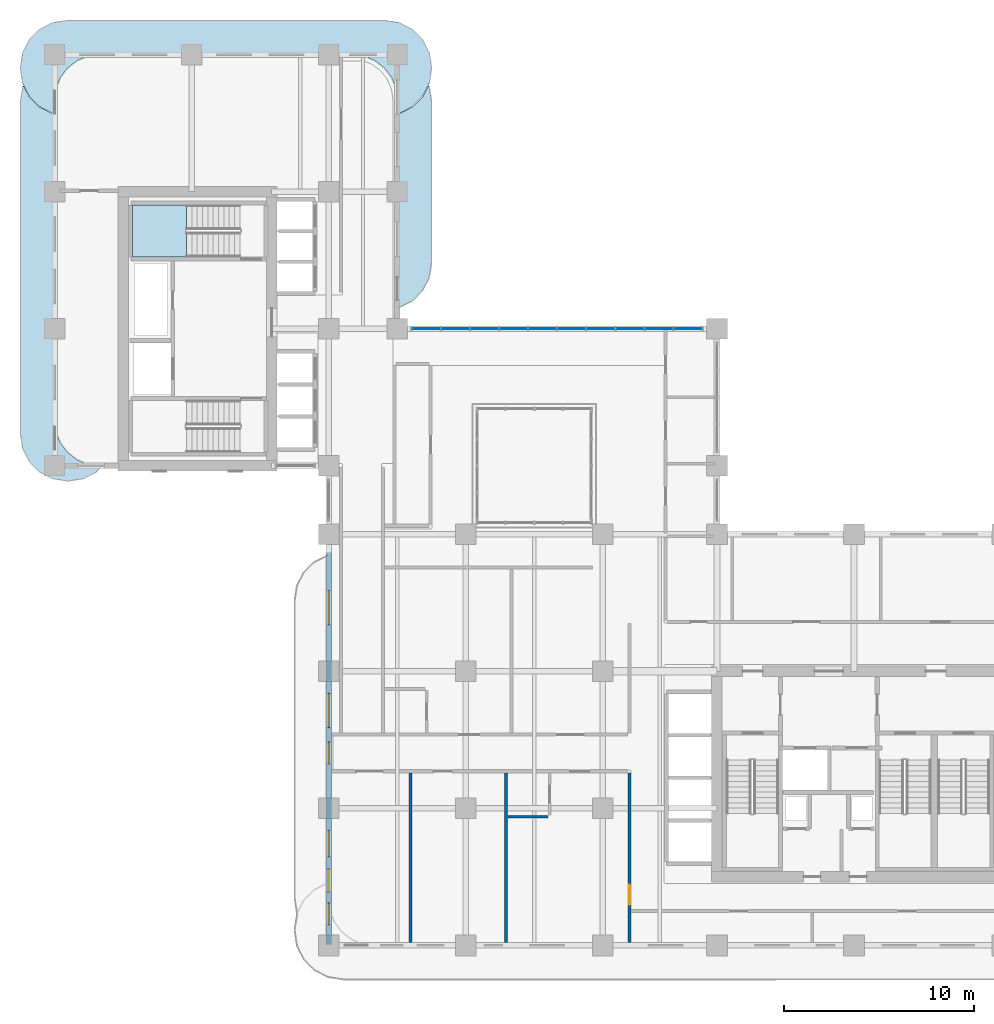
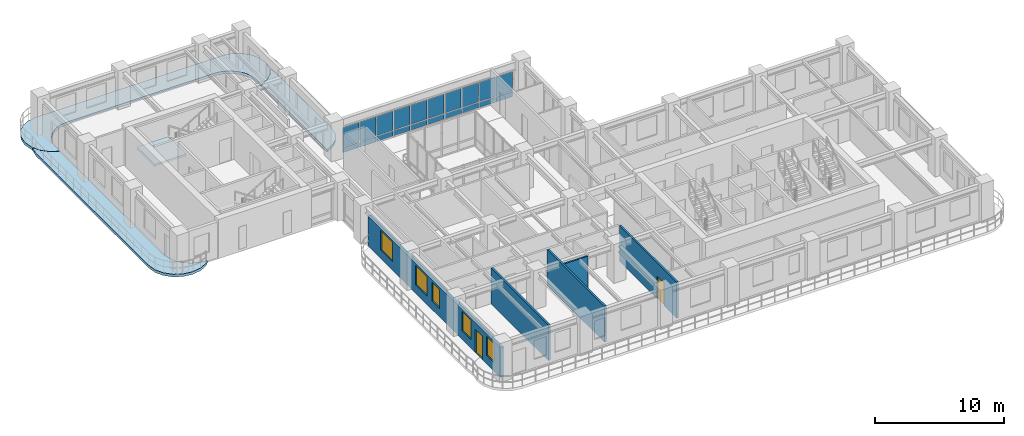
# One storey, part 8 of 19: 20 plates, 5 walls, 5 windows, 4 slabs, 2 doors, 7 openings, 2 elements without a shape of their own.
"""IFC4 building model written with IfcOpenShell, lengths in metres."""

from ifc_helpers import new_model, si_unit, derived_unit, direction, frame, frame_2d, origin, origin_2d, place, context, subcontext, project, spatial, polyline, rectangle, outline, extrude, source, transform, mapped, material, layer, layer_set, type_object, type_shapes, element, fill, aggregate, save


model = new_model("IFC4")

# Units and contexts
model_context = context("Model", 3, precision=1e-05, world=origin(), true_north=direction((0.0, 1.0)))
body_context = subcontext(model_context, "Body", "Model", "MODEL_VIEW")
ifc_project = project(units=[si_unit("LENGTHUNIT", "METRE"), si_unit("AREAUNIT", "SQUARE_METRE"), si_unit("VOLUMEUNIT", "CUBIC_METRE"), si_unit("PLANEANGLEUNIT", "RADIAN"), si_unit("MASSUNIT", "GRAM", prefix="KILO"), si_unit("THERMODYNAMICTEMPERATUREUNIT", "KELVIN"), si_unit("POWERUNIT", "WATT"), derived_unit("THERMALTRANSMITTANCEUNIT", [(si_unit("POWERUNIT", "WATT"), 1), (si_unit("AREAUNIT", "SQUARE_METRE"), -1), (si_unit("THERMODYNAMICTEMPERATUREUNIT", "KELVIN"), -1)])], contexts=[model_context])

# Site, building, storey
site_placement = place(None, origin())
site = spatial("IfcSite", under=ifc_project, at=site_placement, CompositionType="ELEMENT")
building_placement = place(site_placement, origin())
building = spatial("IfcBuilding", under=site, at=building_placement, Name="Zahravan Archway Hotel and Residences", CompositionType="ELEMENT")
storey_placement = place(building_placement, frame((0.0, 0.0, 102.699951171875)))
storey = spatial("IfcBuildingStorey", under=building, at=storey_placement, Name="L25", CompositionType="ELEMENT", Elevation=102.699951171875)

# Slabs
ifc_material_1 = material(Name="Concrete C45/55", Category="concrete")
ifc_layer_1 = layer(ifc_material_1, 0.25, Name="Concrete C45/55", Category="concrete")
ifc_layer_set_1 = layer_set([ifc_layer_1], Name="Concrete C45/55")
slab_type_1 = type_object("IfcSlabType", Name="SLB-BALC-250", PredefinedType="FLOOR", material=ifc_layer_set_1)
slab_1_placement = place(storey_placement, frame((0.0, 0.0, -0.25)))
element("IfcSlab", 1, at=slab_1_placement, inside=storey, type_object=slab_type_1, Name="L25 Wing B North Rounded Balcony Band", PredefinedType="FLOOR", context=body_context, shape_type="SweptSolid", body=[
    extrude(outline(polyline([(-0.107177734375, 43.719970703125), (-0.7900390625, 44.06787109375), (-1.33203125, 44.60986328125), (-1.68017578125, 45.29296875), (-1.800048828125, 46.050048828125), (-1.800048828125, 46.14990234375), (-1.68017578125, 46.906982421875), (-1.33203125, 47.590087890625), (-0.7900390625, 48.132080078125), (-0.107177734375, 48.47998046875), (0.64990234375, 48.60009765625), (17.35009765625, 48.60009765625), (18.107177734375, 48.47998046875), (18.7900390625, 48.132080078125), (19.33203125, 47.590087890625), (19.68017578125, 46.906982421875), (19.800048828125, 46.14990234375), (19.800048828125, 46.050048828125), (19.68017578125, 45.29296875), (19.33203125, 44.60986328125), (18.7900390625, 44.06787109375), (18.107177734375, 43.719970703125), (18.02001953125, 43.7060546875), (18.02001953125, 44.39990234375), (18.019775390625, 44.402587890625), (17.93798828125, 45.023681640625), (17.937744140625, 45.025390625), (17.937255859375, 45.027099609375), (17.936767578125, 45.02880859375), (17.697021484375, 45.607666015625), (17.6962890625, 45.609130859375), (17.6953125, 45.610595703125), (17.6943359375, 45.6123046875), (17.31298828125, 46.109375), (17.311767578125, 46.110595703125), (17.310546875, 46.11181640625), (17.309326171875, 46.113037109375), (16.812255859375, 46.494384765625), (16.810791015625, 46.495361328125), (16.80908203125, 46.49609375), (16.8076171875, 46.4970703125), (16.22900390625, 46.73681640625), (16.227294921875, 46.7373046875), (16.2255859375, 46.73779296875), (16.223876953125, 46.738037109375), (15.6025390625, 46.81982421875), (15.60009765625, 46.820068359375), (2.39990234375, 46.820068359375), (2.3974609375, 46.81982421875), (1.776123046875, 46.738037109375), (1.7744140625, 46.73779296875), (1.772705078125, 46.7373046875), (1.77099609375, 46.73681640625), (1.1923828125, 46.4970703125), (1.19091796875, 46.49609375), (1.189208984375, 46.495361328125), (1.187744140625, 46.494384765625), (0.690673828125, 46.113037109375), (0.689453125, 46.11181640625), (0.688232421875, 46.110595703125), (0.68701171875, 46.109375), (0.3056640625, 45.6123046875), (0.3046875, 45.610595703125), (0.3037109375, 45.609130859375), (0.302978515625, 45.607666015625), (0.063232421875, 45.02880859375), (0.062744140625, 45.027099609375), (0.062255859375, 45.025390625), (0.06201171875, 45.023681640625), (-0.019775390625, 44.402587890625), (-0.02001953125, 44.39990234375), (-0.02001953125, 43.7060546875), (-0.107177734375, 43.719970703125)])), origin(), (0.0, 0.0, 1.0), 0.25),
])
slab_2_placement = place(storey_placement, frame((0.0, 0.0, -0.25)))
element("IfcSlab", 2, at=slab_2_placement, inside=storey, type_object=slab_type_1, Name="L25 Wing B West Rounded Balcony Band", PredefinedType="FLOOR", context=body_context, shape_type="SweptSolid", body=[
    extrude(outline(polyline([(2.190185546875, 24.867919921875), (1.507080078125, 24.52001953125), (0.75, 24.39990234375), (0.64990234375, 24.39990234375), (-0.107177734375, 24.52001953125), (-0.7900390625, 24.867919921875), (-1.33203125, 25.409912109375), (-1.68017578125, 26.093017578125), (-1.800048828125, 26.85009765625), (-1.800048828125, 44.35009765625), (-1.68017578125, 45.107177734375), (-1.64404296875, 45.177978515625), (-1.349853515625, 44.600830078125), (-1.348876953125, 44.59912109375), (-1.34765625, 44.597412109375), (-1.34619140625, 44.595703125), (-0.80419921875, 44.0537109375), (-0.802734375, 44.052490234375), (-0.801025390625, 44.051025390625), (-0.79931640625, 44.050048828125), (-0.1162109375, 43.7021484375), (-0.1142578125, 43.701171875), (-0.1123046875, 43.70068359375), (-0.110107421875, 43.7001953125), (-0.023193359375, 43.686279296875), (-0.021240234375, 43.68603515625), (-0.02001953125, 43.68603515625), (-0.02001953125, 27.60009765625), (-0.019775390625, 27.597412109375), (0.06201171875, 26.976318359375), (0.062255859375, 26.974609375), (0.062744140625, 26.972900390625), (0.063232421875, 26.97119140625), (0.302978515625, 26.392333984375), (0.3037109375, 26.390869140625), (0.3046875, 26.389404296875), (0.3056640625, 26.3876953125), (0.68701171875, 25.890625), (0.688232421875, 25.889404296875), (0.689453125, 25.88818359375), (0.690673828125, 25.886962890625), (1.187744140625, 25.505615234375), (1.189208984375, 25.504638671875), (1.19091796875, 25.50390625), (1.1923828125, 25.5029296875), (1.77099609375, 25.26318359375), (1.772705078125, 25.2626953125), (1.7744140625, 25.26220703125), (1.776123046875, 25.261962890625), (2.3974609375, 25.18017578125), (2.39990234375, 25.179931640625), (2.502197265625, 25.179931640625), (2.190185546875, 24.867919921875)])), origin(), (0.0, 0.0, 1.0), 0.25),
])
slab_3_placement = place(storey_placement, frame((0.0, 0.0, -0.25)))
element("IfcSlab", 3, at=slab_3_placement, inside=storey, type_object=slab_type_1, Name="L25 Wing B East Rounded Balcony Band", PredefinedType="FLOOR", context=body_context, shape_type="SweptSolid", body=[
    extrude(outline(polyline([(19.68017578125, 45.107177734375), (19.800048828125, 44.35009765625), (19.800048828125, 35.85009765625), (19.68017578125, 35.093017578125), (19.33203125, 34.409912109375), (18.7900390625, 33.867919921875), (18.107177734375, 33.52001953125), (18.02001953125, 33.506103515625), (18.02001953125, 43.68603515625), (18.021240234375, 43.68603515625), (18.023193359375, 43.686279296875), (18.110107421875, 43.7001953125), (18.1123046875, 43.70068359375), (18.1142578125, 43.701171875), (18.1162109375, 43.7021484375), (18.79931640625, 44.050048828125), (18.801025390625, 44.051025390625), (18.802734375, 44.052490234375), (18.80419921875, 44.0537109375), (19.34619140625, 44.595703125), (19.34765625, 44.597412109375), (19.348876953125, 44.59912109375), (19.349853515625, 44.600830078125), (19.64404296875, 45.177978515625), (19.68017578125, 45.107177734375)])), origin(), (0.0, 0.0, 1.0), 0.25),
])

# Stair, slab
ifc_material_2 = material(Name="Concrete C50/60", Category="concrete")
stair_type = type_object("IfcStairType", Name="STR-CORE-1300", PredefinedType="HALF_TURN_STAIR", material=ifc_material_2)
stair_placement = place(storey_placement, origin())
stair = element("IfcStair", 4, at=stair_placement, inside=storey, type_object=stair_type, Name="L25 Core B Exit Stair 2", PredefinedType="HALF_TURN_STAIR")
ifc_layer_2 = layer(ifc_material_2, 0.199951171875, Name="Concrete C50/60", Category="concrete")
ifc_layer_set_2 = layer_set([ifc_layer_2], Name="Concrete C50/60")
slab_type_2 = type_object("IfcSlabType", Name="SLB-LND-200", PredefinedType="LANDING", material=ifc_layer_set_2)
slab_4_placement = place(storey_placement, frame((0.0, 0.0, 1.650146484375)))
slab_4 = element("IfcSlab", 5, at=slab_4_placement, type_object=slab_type_2, Name="ST-B2 landing 1", PredefinedType="LANDING", context=body_context, shape_type="SweptSolid", body=[
    extrude(outline(polyline([(6.929931640625, 38.89990234375), (4.10009765625, 38.89990234375), (4.10009765625, 36.159912109375), (6.929931640625, 36.159912109375), (6.929931640625, 38.89990234375)])), origin(), (0.0, 0.0, 1.0), 0.199951171875),
])
aggregate(stair, [slab_4])

# Curtain wall, plates
ifc_material_3 = material(Name="Bronze-Anodized Unitised Aluminium & Low-E Glass", Category="aluminium")
ifc_layer_3 = layer(ifc_material_3, 0.179931640625, Name="Bronze-Anodized Unitised Aluminium & Low-E Glass", Category="aluminium")
ifc_layer_set_3 = layer_set([ifc_layer_3], Name="Bronze-Anodized Unitised Aluminium & Low-E Glass")
curtain_wall_type = type_object("IfcCurtainWallType", Name="CW-ATR-GLAZ", PredefinedType="NOTDEFINED", material=ifc_layer_set_3)
curtain_wall_placement = place(storey_placement, origin())
curtain_wall = element("IfcCurtainWall", 6, at=curtain_wall_placement, inside=storey, type_object=curtain_wall_type, Name="L25 Curtain Wall CW-L25-HNG-N-1", PredefinedType="NOTDEFINED")
ifc_material_4 = material(Name="Insulated Terracotta Spandrel Panel", Category="masonry")
ifc_layer_4 = layer(ifc_material_4, 0.0400390625, Name="Insulated Terracotta Spandrel Panel", Category="masonry")
ifc_layer_set_4 = layer_set([ifc_layer_4], Name="Insulated Terracotta Spandrel Panel")
plate_type_1 = type_object("IfcPlateType", Name="CWP-SPN-40", PredefinedType="SHEET", material=ifc_layer_set_4)
shared_shape_1 = source(origin(), body_context, "Body", "SweptSolid", [
    extrude(rectangle(XDim=1.447998046875, YDim=0.0400390625, at=origin_2d()), origin(), (0.0, 0.0, 1.0), 0.48046875),
])
plate_1_placement = place(storey_placement, frame((19.52392578125, 32.39990234375, 0.10009765625), z_axis=(0.0, 0.0, 1.0), x_axis=(1.0, 0.0, 0.0)))
plate_1 = element("IfcPlate", 7, at=plate_1_placement, type_object=plate_type_1, Name="CW-L25-HNG-N-1 Spandrel Panel 0", PredefinedType="SHEET", context=body_context, shape_type="MappedRepresentation", body=[
    mapped(shared_shape_1, transform((0.0, 0.0, 0.0), scale=1.0)),
])
plate_2_placement = place(storey_placement, frame((21.052001953125, 32.39990234375, 0.10009765625), z_axis=(0.0, 0.0, 1.0), x_axis=(1.0, 0.0, 0.0)))
plate_2 = element("IfcPlate", 8, at=plate_2_placement, type_object=plate_type_1, Name="CW-L25-HNG-N-1 Spandrel Panel 1", PredefinedType="SHEET", context=body_context, shape_type="MappedRepresentation", body=[
    mapped(shared_shape_1, transform((0.0, 0.0, 0.0), scale=1.0)),
])
plate_3_placement = place(storey_placement, frame((22.580078125, 32.39990234375, 0.10009765625), z_axis=(0.0, 0.0, 1.0), x_axis=(1.0, 0.0, 0.0)))
plate_3 = element("IfcPlate", 9, at=plate_3_placement, type_object=plate_type_1, Name="CW-L25-HNG-N-1 Spandrel Panel 2", PredefinedType="SHEET", context=body_context, shape_type="MappedRepresentation", body=[
    mapped(shared_shape_1, transform((0.0, 0.0, 0.0), scale=1.0)),
])
plate_4_placement = place(storey_placement, frame((24.10791015625, 32.39990234375, 0.10009765625), z_axis=(0.0, 0.0, 1.0), x_axis=(1.0, 0.0, 0.0)))
plate_4 = element("IfcPlate", 10, at=plate_4_placement, type_object=plate_type_1, Name="CW-L25-HNG-N-1 Spandrel Panel 3", PredefinedType="SHEET", context=body_context, shape_type="MappedRepresentation", body=[
    mapped(shared_shape_1, transform((0.0, 0.0, 0.0), scale=1.0)),
])
plate_5_placement = place(storey_placement, frame((25.635986328125, 32.39990234375, 0.10009765625), z_axis=(0.0, 0.0, 1.0), x_axis=(1.0, 0.0, 0.0)))
plate_5 = element("IfcPlate", 11, at=plate_5_placement, type_object=plate_type_1, Name="CW-L25-HNG-N-1 Spandrel Panel 4", PredefinedType="SHEET", context=body_context, shape_type="MappedRepresentation", body=[
    mapped(shared_shape_1, transform((0.0, 0.0, 0.0), scale=1.0)),
])
plate_6_placement = place(storey_placement, frame((27.1640625, 32.39990234375, 0.10009765625), z_axis=(0.0, 0.0, 1.0), x_axis=(1.0, 0.0, 0.0)))
plate_6 = element("IfcPlate", 12, at=plate_6_placement, type_object=plate_type_1, Name="CW-L25-HNG-N-1 Spandrel Panel 5", PredefinedType="SHEET", context=body_context, shape_type="MappedRepresentation", body=[
    mapped(shared_shape_1, transform((0.0, 0.0, 0.0), scale=1.0)),
])
plate_7_placement = place(storey_placement, frame((28.69189453125, 32.39990234375, 0.10009765625), z_axis=(0.0, 0.0, 1.0), x_axis=(1.0, 0.0, 0.0)))
plate_7 = element("IfcPlate", 13, at=plate_7_placement, type_object=plate_type_1, Name="CW-L25-HNG-N-1 Spandrel Panel 6", PredefinedType="SHEET", context=body_context, shape_type="MappedRepresentation", body=[
    mapped(shared_shape_1, transform((0.0, 0.0, 0.0), scale=1.0)),
])
plate_8_placement = place(storey_placement, frame((30.219970703125, 32.39990234375, 0.10009765625), z_axis=(0.0, 0.0, 1.0), x_axis=(1.0, 0.0, 0.0)))
plate_8 = element("IfcPlate", 14, at=plate_8_placement, type_object=plate_type_1, Name="CW-L25-HNG-N-1 Spandrel Panel 7", PredefinedType="SHEET", context=body_context, shape_type="MappedRepresentation", body=[
    mapped(shared_shape_1, transform((0.0, 0.0, 0.0), scale=1.0)),
])
plate_9_placement = place(storey_placement, frame((31.748046875, 32.39990234375, 0.10009765625), z_axis=(0.0, 0.0, 1.0), x_axis=(1.0, 0.0, 0.0)))
plate_9 = element("IfcPlate", 15, at=plate_9_placement, type_object=plate_type_1, Name="CW-L25-HNG-N-1 Spandrel Panel 8", PredefinedType="SHEET", context=body_context, shape_type="MappedRepresentation", body=[
    mapped(shared_shape_1, transform((0.0, 0.0, 0.0), scale=1.0)),
])
plate_10_placement = place(storey_placement, frame((33.27587890625, 32.39990234375, 0.10009765625), z_axis=(0.0, 0.0, 1.0), x_axis=(1.0, 0.0, 0.0)))
plate_10 = element("IfcPlate", 16, at=plate_10_placement, type_object=plate_type_1, Name="CW-L25-HNG-N-1 Spandrel Panel 9", PredefinedType="SHEET", context=body_context, shape_type="MappedRepresentation", body=[
    mapped(shared_shape_1, transform((0.0, 0.0, 0.0), scale=1.0)),
])
ifc_material_5 = material(Name="Double-Silver Low-E Insulated Vision Glass", Category="glass")
ifc_layer_5 = layer(ifc_material_5, 0.028076171875, Name="Double-Silver Low-E Insulated Vision Glass", Category="glass")
ifc_layer_set_5 = layer_set([ifc_layer_5], Name="Double-Silver Low-E Insulated Vision Glass")
plate_type_2 = type_object("IfcPlateType", Name="CWP-GLZ-28", PredefinedType="CURTAIN_PANEL", material=ifc_layer_set_5)
shared_shape_2 = source(origin(), body_context, "Body", "SweptSolid", [
    extrude(rectangle(XDim=1.447998046875, YDim=0.028076171875, at=origin_2d()), origin(), (0.0, 0.0, 1.0), 1.82470703125),
])
plate_11_placement = place(storey_placement, frame((19.52392578125, 32.39990234375, 0.660400390625), z_axis=(0.0, 0.0, 1.0), x_axis=(1.0, 0.0, 0.0)))
plate_11 = element("IfcPlate", 17, at=plate_11_placement, type_object=plate_type_2, Name="CW-L25-HNG-N-1 Low-E Vision Panel 0", PredefinedType="CURTAIN_PANEL", context=body_context, shape_type="MappedRepresentation", body=[
    mapped(shared_shape_2, transform((0.0, 0.0, 0.0), scale=1.0)),
])
plate_12_placement = place(storey_placement, frame((21.052001953125, 32.39990234375, 0.660400390625), z_axis=(0.0, 0.0, 1.0), x_axis=(1.0, 0.0, 0.0)))
plate_12 = element("IfcPlate", 18, at=plate_12_placement, type_object=plate_type_2, Name="CW-L25-HNG-N-1 Low-E Vision Panel 1", PredefinedType="CURTAIN_PANEL", context=body_context, shape_type="MappedRepresentation", body=[
    mapped(shared_shape_2, transform((0.0, 0.0, 0.0), scale=1.0)),
])
plate_13_placement = place(storey_placement, frame((22.580078125, 32.39990234375, 0.660400390625), z_axis=(0.0, 0.0, 1.0), x_axis=(1.0, 0.0, 0.0)))
plate_13 = element("IfcPlate", 19, at=plate_13_placement, type_object=plate_type_2, Name="CW-L25-HNG-N-1 Low-E Vision Panel 2", PredefinedType="CURTAIN_PANEL", context=body_context, shape_type="MappedRepresentation", body=[
    mapped(shared_shape_2, transform((0.0, 0.0, 0.0), scale=1.0)),
])
plate_14_placement = place(storey_placement, frame((24.10791015625, 32.39990234375, 0.660400390625), z_axis=(0.0, 0.0, 1.0), x_axis=(1.0, 0.0, 0.0)))
plate_14 = element("IfcPlate", 20, at=plate_14_placement, type_object=plate_type_2, Name="CW-L25-HNG-N-1 Low-E Vision Panel 3", PredefinedType="CURTAIN_PANEL", context=body_context, shape_type="MappedRepresentation", body=[
    mapped(shared_shape_2, transform((0.0, 0.0, 0.0), scale=1.0)),
])
plate_15_placement = place(storey_placement, frame((25.635986328125, 32.39990234375, 0.660400390625), z_axis=(0.0, 0.0, 1.0), x_axis=(1.0, 0.0, 0.0)))
plate_15 = element("IfcPlate", 21, at=plate_15_placement, type_object=plate_type_2, Name="CW-L25-HNG-N-1 Low-E Vision Panel 4", PredefinedType="CURTAIN_PANEL", context=body_context, shape_type="MappedRepresentation", body=[
    mapped(shared_shape_2, transform((0.0, 0.0, 0.0), scale=1.0)),
])
plate_16_placement = place(storey_placement, frame((27.1640625, 32.39990234375, 0.660400390625), z_axis=(0.0, 0.0, 1.0), x_axis=(1.0, 0.0, 0.0)))
plate_16 = element("IfcPlate", 22, at=plate_16_placement, type_object=plate_type_2, Name="CW-L25-HNG-N-1 Low-E Vision Panel 5", PredefinedType="CURTAIN_PANEL", context=body_context, shape_type="MappedRepresentation", body=[
    mapped(shared_shape_2, transform((0.0, 0.0, 0.0), scale=1.0)),
])
plate_17_placement = place(storey_placement, frame((28.69189453125, 32.39990234375, 0.660400390625), z_axis=(0.0, 0.0, 1.0), x_axis=(1.0, 0.0, 0.0)))
plate_17 = element("IfcPlate", 23, at=plate_17_placement, type_object=plate_type_2, Name="CW-L25-HNG-N-1 Low-E Vision Panel 6", PredefinedType="CURTAIN_PANEL", context=body_context, shape_type="MappedRepresentation", body=[
    mapped(shared_shape_2, transform((0.0, 0.0, 0.0), scale=1.0)),
])
plate_18_placement = place(storey_placement, frame((30.219970703125, 32.39990234375, 0.660400390625), z_axis=(0.0, 0.0, 1.0), x_axis=(1.0, 0.0, 0.0)))
plate_18 = element("IfcPlate", 24, at=plate_18_placement, type_object=plate_type_2, Name="CW-L25-HNG-N-1 Low-E Vision Panel 7", PredefinedType="CURTAIN_PANEL", context=body_context, shape_type="MappedRepresentation", body=[
    mapped(shared_shape_2, transform((0.0, 0.0, 0.0), scale=1.0)),
])
plate_19_placement = place(storey_placement, frame((31.748046875, 32.39990234375, 0.660400390625), z_axis=(0.0, 0.0, 1.0), x_axis=(1.0, 0.0, 0.0)))
plate_19 = element("IfcPlate", 25, at=plate_19_placement, type_object=plate_type_2, Name="CW-L25-HNG-N-1 Low-E Vision Panel 8", PredefinedType="CURTAIN_PANEL", context=body_context, shape_type="MappedRepresentation", body=[
    mapped(shared_shape_2, transform((0.0, 0.0, 0.0), scale=1.0)),
])
plate_20_placement = place(storey_placement, frame((33.27587890625, 32.39990234375, 0.660400390625), z_axis=(0.0, 0.0, 1.0), x_axis=(1.0, 0.0, 0.0)))
plate_20 = element("IfcPlate", 26, at=plate_20_placement, type_object=plate_type_2, Name="CW-L25-HNG-N-1 Low-E Vision Panel 9", PredefinedType="CURTAIN_PANEL", context=body_context, shape_type="MappedRepresentation", body=[
    mapped(shared_shape_2, transform((0.0, 0.0, 0.0), scale=1.0)),
])
aggregate(curtain_wall, [plate_1, plate_11, plate_2, plate_12, plate_3, plate_13, plate_4, plate_14, plate_5, plate_15, plate_6, plate_16, plate_7, plate_17, plate_8, plate_18, plate_9, plate_19, plate_10, plate_20])

# Wall, openings, door, windows
ifc_material_6 = material(Name="Honed Red-Ochre Sandstone & Insulated Block", Category="masonry")
ifc_layer_6 = layer(ifc_material_6, 0.280029296875, Name="Honed Red-Ochre Sandstone & Insulated Block", Category="masonry")
ifc_layer_set_6 = layer_set([ifc_layer_6], Name="Honed Red-Ochre Sandstone & Insulated Block")
wall_type_1 = type_object("IfcWallType", Name="EW-LOG-280", PredefinedType="SOLIDWALL", material=ifc_layer_set_6)
wall_1_placement = place(storey_placement, frame((14.39990234375, 0.050048828125, 0.0), z_axis=(0.0, 0.0, 1.0), x_axis=(0.0, 1.0, 0.0)))
wall_1 = element("IfcWall", 27, at=wall_1_placement, inside=storey, type_object=wall_type_1, Name="L25 Exterior Sandstone Wall WA-WL", PredefinedType="SOLIDWALL", context=body_context, shape_type="SweptSolid", body=[
    extrude(rectangle(XDim=20.599853515625, YDim=0.280029296875, at=frame_2d((10.2998046875, 0.0))), origin(), (0.0, 0.0, 1.0), 2.8349609375),
])
opening_1_placement = place(wall_1_placement, frame((2.75, 0.0, 0.0)))
opening_1 = element("IfcOpeningElement", 28, at=opening_1_placement, cuts=wall_1, Name="Opening ED-BL1", PredefinedType="OPENING", context=body_context, shape_type="SweptSolid", body=[
    extrude(rectangle(XDim=1.199951171875, YDim=2.199951171875, at=frame_2d((0.60009765625, 1.10009765625))), frame((0.0, 0.14990234375, 0.0), z_axis=(0.0, -1.0, 0.0), x_axis=(1.0, 0.0, 0.0)), (0.0, 0.0, 1.0), 0.300048828125),
])
opening_2_placement = place(wall_1_placement, frame((1.02490234375, 0.0, 0.800048828125)))
opening_2 = element("IfcOpeningElement", 29, at=opening_2_placement, cuts=wall_1, Name="Opening W-05", PredefinedType="OPENING", context=body_context, shape_type="SweptSolid", body=[
    extrude(rectangle(XDim=1.14990234375, YDim=1.800048828125, at=frame_2d((0.574951171875, 0.89990234375))), frame((0.0, 0.14990234375, 0.0), z_axis=(0.0, -1.0, 0.0), x_axis=(1.0, 0.0, 0.0)), (0.0, 0.0, 1.0), 0.300048828125),
])
opening_3_placement = place(wall_1_placement, frame((4.60009765625, 0.0, 0.800048828125)))
opening_3 = element("IfcOpeningElement", 30, at=opening_3_placement, cuts=wall_1, Name="Opening W-03", PredefinedType="OPENING", context=body_context, shape_type="SweptSolid", body=[
    extrude(rectangle(XDim=1.39990234375, YDim=1.85009765625, at=frame_2d((0.699951171875, 0.925048828125))), frame((0.0, 0.14990234375, 0.0), z_axis=(0.0, -1.0, 0.0), x_axis=(1.0, 0.0, 0.0)), (0.0, 0.0, 1.0), 0.300048828125),
])
opening_4_placement = place(wall_1_placement, frame((9.485107421875, 0.0, 0.800048828125)))
opening_4 = element("IfcOpeningElement", 31, at=opening_4_placement, cuts=wall_1, Name="Opening W-05", PredefinedType="OPENING", context=body_context, shape_type="SweptSolid", body=[
    extrude(rectangle(XDim=1.14990234375, YDim=1.800048828125, at=frame_2d((0.574951171875, 0.89990234375))), frame((0.0, 0.14990234375, 0.0), z_axis=(0.0, -1.0, 0.0), x_axis=(1.0, 0.0, 0.0)), (0.0, 0.0, 1.0), 0.300048828125),
])
opening_5_placement = place(wall_1_placement, frame((11.388916015625, 0.0, 0.800048828125)))
opening_5 = element("IfcOpeningElement", 32, at=opening_5_placement, cuts=wall_1, Name="Opening W-02", PredefinedType="OPENING", context=body_context, shape_type="SweptSolid", body=[
    extrude(rectangle(XDim=1.800048828125, YDim=1.85009765625, at=frame_2d((0.89990234375, 0.925048828125))), frame((0.0, 0.14990234375, 0.0), z_axis=(0.0, -1.0, 0.0), x_axis=(1.0, 0.0, 0.0)), (0.0, 0.0, 1.0), 0.300048828125),
])
opening_6_placement = place(wall_1_placement, frame((16.7900390625, 0.0, 0.800048828125)))
opening_6 = element("IfcOpeningElement", 33, at=opening_6_placement, cuts=wall_1, Name="Opening W-02", PredefinedType="OPENING", context=body_context, shape_type="SweptSolid", body=[
    extrude(rectangle(XDim=1.800048828125, YDim=1.85009765625, at=frame_2d((0.89990234375, 0.925048828125))), frame((0.0, 0.14990234375, 0.0), z_axis=(0.0, -1.0, 0.0), x_axis=(1.0, 0.0, 0.0)), (0.0, 0.0, 1.0), 0.300048828125),
])
ifc_material_7 = material(Name="Bronze-Anodized Glazed Aluminium", Category="aluminium")
door_type_1 = type_object("IfcDoorType", Name="ED-BALC-1200", OperationType="SLIDING_TO_LEFT", PredefinedType="DOOR", material=ifc_material_7)
shared_shape_3 = source(origin(), body_context, "Body", "SweptSolid", [
    extrude(rectangle(XDim=1.199951171875, YDim=2.199951171875, at=frame_2d((0.60009765625, 1.10009765625))), frame((0.0, 0.02490234375, 0.0), z_axis=(0.0, -1.0, 0.0), x_axis=(1.0, 0.0, 0.0)), (0.0, 0.0, 1.0), 0.050048828125),
])
type_shapes(door_type_1, [shared_shape_3])
door_1_placement = place(opening_1_placement, origin())
door_1 = element("IfcDoor", 34, at=door_1_placement, inside=storey, type_object=door_type_1, Name="L25 Outdoor Access Sliding Door (SLB-BAL-L25-WA)", OperationType="SLIDING_TO_LEFT", OverallHeight=2.199951171875, OverallWidth=1.199951171875, PredefinedType="DOOR", context=body_context, shape_type="MappedRepresentation", body=[
    mapped(shared_shape_3, transform((0.0, 0.0, 0.0), scale=1.0)),
])
fill(opening_1, door_1)
ifc_material_8 = material(Name="Bronze-Anodized Thermal-Break Aluminium & Low-E Glass", Category="aluminium")
window_type_1 = type_object("IfcWindowType", Name="WIN-TWR-1400", PartitioningType="SINGLE_PANEL", PredefinedType="WINDOW", material=ifc_material_8)
shared_shape_4 = source(origin(), body_context, "Body", "SweptSolid", [
    extrude(rectangle(XDim=1.39990234375, YDim=1.85009765625, at=frame_2d((0.699951171875, 0.925048828125))), frame((0.0, 0.030029296875, 0.0), z_axis=(0.0, -1.0, 0.0), x_axis=(1.0, 0.0, 0.0)), (0.0, 0.0, 1.0), 0.06005859375),
])
type_shapes(window_type_1, [shared_shape_4])
window_1_placement = place(opening_3_placement, origin())
window_1 = element("IfcWindow", 35, at=window_1_placement, inside=storey, type_object=window_type_1, Name="L25 Loggia Window 25", OverallHeight=1.85009765625, OverallWidth=1.39990234375, PartitioningType="SINGLE_PANEL", PredefinedType="WINDOW", context=body_context, shape_type="MappedRepresentation", body=[
    mapped(shared_shape_4, transform((0.0, 0.0, 0.0), scale=1.0)),
])
fill(opening_3, window_1)
window_type_2 = type_object("IfcWindowType", Name="WIN-TWR-1800", PartitioningType="DOUBLE_PANEL_VERTICAL", PredefinedType="WINDOW", material=ifc_material_8)
shared_shape_5 = source(origin(), body_context, "Body", "SweptSolid", [
    extrude(rectangle(XDim=1.800048828125, YDim=1.85009765625, at=frame_2d((0.89990234375, 0.925048828125))), frame((0.0, 0.030029296875, 0.0), z_axis=(0.0, -1.0, 0.0), x_axis=(1.0, 0.0, 0.0)), (0.0, 0.0, 1.0), 0.06005859375),
])
type_shapes(window_type_2, [shared_shape_5])
window_2_placement = place(opening_5_placement, origin())
window_2 = element("IfcWindow", 36, at=window_2_placement, inside=storey, type_object=window_type_2, Name="L25 Loggia Window 27", OverallHeight=1.85009765625, OverallWidth=1.800048828125, PartitioningType="DOUBLE_PANEL_VERTICAL", PredefinedType="WINDOW", context=body_context, shape_type="MappedRepresentation", body=[
    mapped(shared_shape_5, transform((0.0, 0.0, 0.0), scale=1.0)),
])
fill(opening_5, window_2)
window_3_placement = place(opening_6_placement, origin())
window_3 = element("IfcWindow", 37, at=window_3_placement, inside=storey, type_object=window_type_2, Name="L25 Loggia Window 28", OverallHeight=1.85009765625, OverallWidth=1.800048828125, PartitioningType="DOUBLE_PANEL_VERTICAL", PredefinedType="WINDOW", context=body_context, shape_type="MappedRepresentation", body=[
    mapped(shared_shape_5, transform((0.0, 0.0, 0.0), scale=1.0)),
])
fill(opening_6, window_3)
window_type_3 = type_object("IfcWindowType", Name="WIN-TWR-1150", PartitioningType="SINGLE_PANEL", PredefinedType="WINDOW", material=ifc_material_8)
shared_shape_6 = source(origin(), body_context, "Body", "SweptSolid", [
    extrude(rectangle(XDim=1.14990234375, YDim=1.800048828125, at=frame_2d((0.574951171875, 0.89990234375))), frame((0.0, 0.030029296875, 0.0), z_axis=(0.0, -1.0, 0.0), x_axis=(1.0, 0.0, 0.0)), (0.0, 0.0, 1.0), 0.06005859375),
])
type_shapes(window_type_3, [shared_shape_6])
window_4_placement = place(opening_2_placement, origin())
window_4 = element("IfcWindow", 38, at=window_4_placement, inside=storey, type_object=window_type_3, Name="L25 Loggia Window 24", OverallHeight=1.800048828125, OverallWidth=1.14990234375, PartitioningType="SINGLE_PANEL", PredefinedType="WINDOW", context=body_context, shape_type="MappedRepresentation", body=[
    mapped(shared_shape_6, transform((0.0, 0.0, 0.0), scale=1.0)),
])
fill(opening_2, window_4)
window_5_placement = place(opening_4_placement, origin())
window_5 = element("IfcWindow", 39, at=window_5_placement, inside=storey, type_object=window_type_3, Name="L25 Loggia Window 26", OverallHeight=1.800048828125, OverallWidth=1.14990234375, PartitioningType="SINGLE_PANEL", PredefinedType="WINDOW", context=body_context, shape_type="MappedRepresentation", body=[
    mapped(shared_shape_6, transform((0.0, 0.0, 0.0), scale=1.0)),
])
fill(opening_4, window_5)

# Wall, opening, door
ifc_material_9 = material(Name="Fire-Rated Gypsum & Concrete Block", Category="concrete")
ifc_layer_7 = layer(ifc_material_9, 0.159912109375, Name="Fire-Rated Gypsum & Concrete Block", Category="concrete")
ifc_layer_set_7 = layer_set([ifc_layer_7], Name="Fire-Rated Gypsum & Concrete Block")
wall_type_2 = type_object("IfcWallType", Name="PW-CORR-160", PredefinedType="PARTITIONING", material=ifc_layer_set_7)
wall_2_placement = place(storey_placement, frame((30.199951171875, 0.14794921875, 0.0), z_axis=(0.0, 0.0, 1.0), x_axis=(0.0, 1.0, 0.0)))
wall_2 = element("IfcWall", 40, at=wall_2_placement, inside=storey, type_object=wall_type_2, Name="L25 Partition WA-SRW", PredefinedType="PARTITIONING", context=body_context, shape_type="SweptSolid", body=[
    extrude(rectangle(XDim=8.912109375, YDim=0.159912109375, at=frame_2d((4.4560546875, 0.0))), origin(), (0.0, 0.0, 1.0), 3.400146484375),
])
opening_7_placement = place(wall_2_placement, frame((1.97705078125, 0.0, 0.0)))
opening_7 = element("IfcOpeningElement", 41, at=opening_7_placement, cuts=wall_2, Name="Opening FD-L2", PredefinedType="OPENING", context=body_context, shape_type="SweptSolid", body=[
    extrude(rectangle(XDim=1.050048828125, YDim=2.14990234375, at=frame_2d((0.52490234375, 1.074951171875))), frame((0.0, 0.08984375, 0.0), z_axis=(0.0, -1.0, 0.0), x_axis=(1.0, 0.0, 0.0)), (0.0, 0.0, 1.0), 0.179931640625),
])
ifc_material_10 = material(Name="Fire-Rated Painted Steel", Category="steel")
door_type_2 = type_object("IfcDoorType", Name="FD-LOBBY-1100", OperationType="NOTDEFINED", PredefinedType="DOOR", material=ifc_material_10)
shared_shape_7 = source(origin(), body_context, "Body", "SweptSolid", [
    extrude(rectangle(XDim=1.050048828125, YDim=2.14990234375, at=frame_2d((0.52490234375, 1.074951171875))), frame((0.0, 0.02490234375, 0.0), z_axis=(0.0, -1.0, 0.0), x_axis=(1.0, 0.0, 0.0)), (0.0, 0.0, 1.0), 0.050048828125),
])
type_shapes(door_type_2, [shared_shape_7])
door_2_placement = place(opening_7_placement, origin())
door_2 = element("IfcDoor", 42, at=door_2_placement, inside=storey, type_object=door_type_2, Name="L25 South Riser Corridor Door", OperationType="SINGLE_SWING_RIGHT", OverallHeight=2.14990234375, OverallWidth=1.050048828125, PredefinedType="DOOR", context=body_context, shape_type="MappedRepresentation", body=[
    mapped(shared_shape_7, transform((0.0, 0.0, 0.0), scale=1.0)),
])
fill(opening_7, door_2)

# Walls
ifc_material_11 = material(Name="Acoustic Stud Partition")
ifc_layer_8 = layer(ifc_material_11, 0.169921875, Name="Acoustic Stud Partition")
ifc_layer_set_8 = layer_set([ifc_layer_8], Name="Acoustic Stud Partition")
wall_type_3 = type_object("IfcWallType", Name="PW-UNIT-170", PredefinedType="PARTITIONING", material=ifc_layer_set_8)
for number, where, z_axis, x_axis, name in (
    (43, (18.699951171875, 0.14794921875, 0.0), (0.0, 0.0, 1.0), (0.0, 1.0, 0.0), "L25 Partition WAS-2A"),
    (44, (23.719970703125, 0.14794921875, 0.0), (0.0, 0.0, 1.0), (0.0, 1.0, 0.0), "L25 Partition WAS-2B"),
):
    element("IfcWall", number, at=place(storey_placement, frame(where, z_axis=z_axis, x_axis=x_axis)), inside=storey, type_object=wall_type_3, Name=name, PredefinedType="PARTITIONING", context=body_context, shape_type="SweptSolid", body=[
        extrude(rectangle(XDim=8.912109375, YDim=0.169921875, at=frame_2d((4.4560546875, 0.0))), origin(), (0.0, 0.0, 1.0), 3.400146484375),
    ])
ifc_material_12 = material(Name="Moisture-Resistant Blockwork", Category="masonry")
ifc_layer_9 = layer(ifc_material_12, 0.139892578125, Name="Moisture-Resistant Blockwork", Category="masonry")
ifc_layer_set_9 = layer_set([ifc_layer_9], Name="Moisture-Resistant Blockwork")
wall_type_4 = type_object("IfcWallType", Name="PW-WET-140", PredefinedType="PARTITIONING", material=ifc_layer_set_9)
wall_3_placement = place(storey_placement, frame((23.81005859375, 6.75, 0.0), z_axis=(0.0, 0.0, 1.0), x_axis=(1.0, 0.0, 0.0)))
element("IfcWall", 45, at=wall_3_placement, inside=storey, type_object=wall_type_4, Name="L25 Partition HKB-H21", PredefinedType="PARTITIONING", context=body_context, shape_type="SweptSolid", body=[
    extrude(rectangle(XDim=2.119873046875, YDim=0.139892578125, at=frame_2d((1.06005859375, 0.0))), origin(), (0.0, 0.0, 1.0), 3.400146484375),
])

save(model, "model.ifc")
